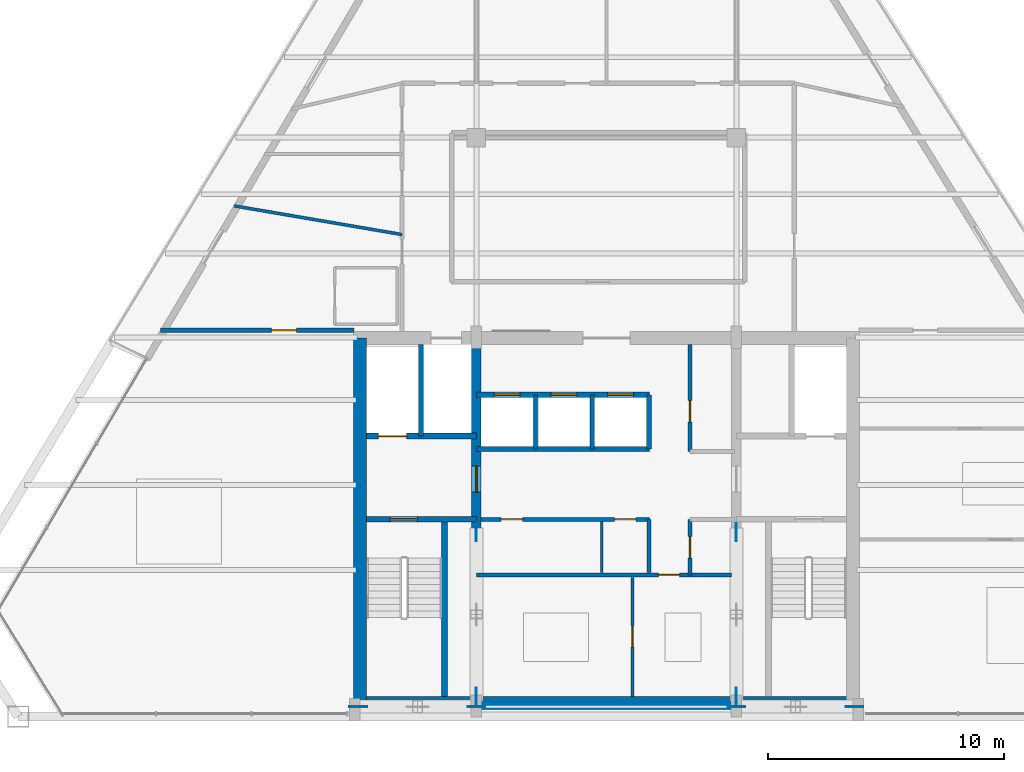
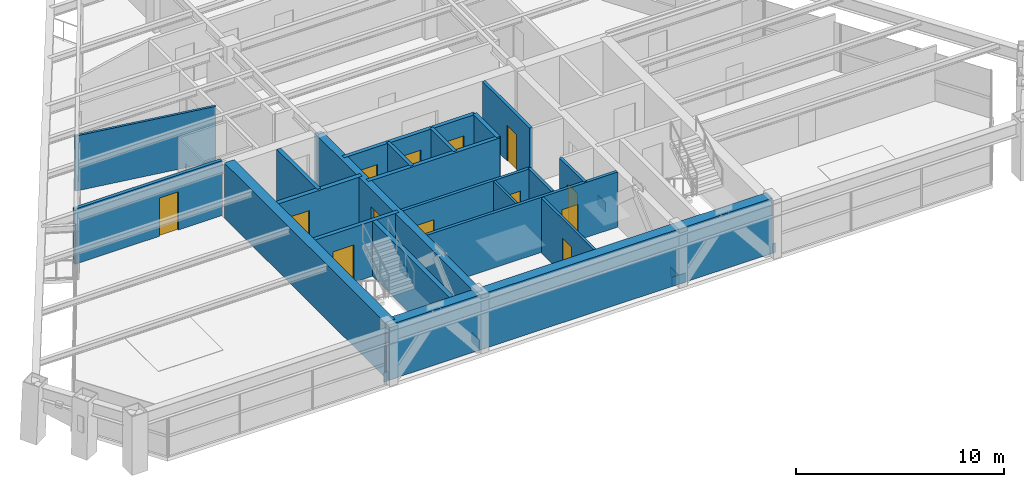
# One storey, part 9 of 13: 21 walls, 13 doors, 8 plates, 13 openings.
"""IFC4 building model written with IfcOpenShell, lengths in metres."""

from ifc_helpers import new_model, si_unit, direction, frame, frame_2d, origin, origin_2d, place, context, subcontext, project, spatial, rectangle, extrude, source, transform, mapped, material, layer, layer_set, type_object, type_shapes, element, fill, save


model = new_model("IFC4")

# Units and contexts
model_context = context("Model", 3, precision=1e-05, world=origin(), true_north=direction((0.0, 1.0)))
body_context = subcontext(model_context, "Body", "Model", "MODEL_VIEW")
ifc_project = project(units=[si_unit("LENGTHUNIT", "METRE"), si_unit("AREAUNIT", "SQUARE_METRE"), si_unit("VOLUMEUNIT", "CUBIC_METRE"), si_unit("PLANEANGLEUNIT", "RADIAN"), si_unit("MASSUNIT", "GRAM", prefix="KILO")], contexts=[model_context])

# Site, building, storey
site_placement = place(None, origin())
site = spatial("IfcSite", under=ifc_project, at=site_placement, CompositionType="ELEMENT")
building_placement = place(site_placement, origin())
building = spatial("IfcBuilding", under=site, at=building_placement, Name="Varnakhor Terracotta Tower", CompositionType="ELEMENT")
storey_placement = place(building_placement, frame((0.0, 0.0, 237.25)))
storey = spatial("IfcBuildingStorey", under=building, at=storey_placement, Name="L61", CompositionType="ELEMENT", Elevation=237.25)

# Plates
ifc_material_1 = material(Name="Steel S460", Category="steel")
ifc_layer_1 = layer(ifc_material_1, 0.050048828125, Name="Steel S460")
ifc_layer_set_1 = layer_set([ifc_layer_1], Name="Steel S460")
plate_type = type_object("IfcPlateType", Name="PLT-GUSSET-50", PredefinedType="USERDEFINED", material=ifc_layer_set_1)
shared_shape_1 = source(origin(), body_context, "Body", "SweptSolid", [
    extrude(rectangle(XDim=0.75, YDim=0.0400390625, at=origin_2d()), origin(), (0.0, 0.0, 1.0), 0.550048828125),
])
type_shapes(plate_type, [shared_shape_1])
for number, where, z_axis, x_axis, name in (
    (1, (-10.5, 0.419921875, -0.09521484375), (0.0, 0.0, 1.0), (1.0, 0.0, 0.0), "L61 Core Brace Embed Plate CSWA"),
    (2, (-5.5, 0.419921875, -0.09521484375), (0.0, 0.0, 1.0), (1.0, 0.0, 0.0), "L61 Core Brace Embed Plate CSWB"),
    (3, (5.5, 0.419921875, -0.09521484375), (0.0, 0.0, 1.0), (1.0, 0.0, 0.0), "L61 Core Brace Embed Plate CSEA"),
    (4, (10.5, 0.419921875, -0.09521484375), (0.0, 0.0, 1.0), (1.0, 0.0, 0.0), "L61 Core Brace Embed Plate CSEB"),
    (5, (-5.5, 0.85009765625, -0.09521484375), (0.0, 0.0, 1.0), (0.0, 1.0, 0.0), "L61 Core Brace Embed Plate CWWA"),
    (6, (-5.5, 7.800048828125, -0.09521484375), (0.0, 0.0, 1.0), (0.0, 1.0, 0.0), "L61 Core Brace Embed Plate CWWB"),
    (7, (5.5, 0.85009765625, -0.09521484375), (0.0, 0.0, 1.0), (0.0, 1.0, 0.0), "L61 Core Brace Embed Plate CWEA"),
    (8, (5.5, 7.800048828125, -0.09521484375), (0.0, 0.0, 1.0), (0.0, 1.0, 0.0), "L61 Core Brace Embed Plate CWEB"),
):
    element("IfcPlate", number, at=place(storey_placement, frame(where, z_axis=z_axis, x_axis=x_axis)), inside=storey, type_object=plate_type, Name=name, ObjectType="GUSSET PLATE", PredefinedType="USERDEFINED", context=body_context, shape_type="MappedRepresentation", body=[
        mapped(shared_shape_1, transform((0.0, 0.0, 0.0), scale=1.0)),
    ])

# Walls
ifc_material_2 = material(Name="Concrete C50/60", Category="concrete")
ifc_layer_2 = layer(ifc_material_2, 0.550048828125, Name="Concrete C50/60")
ifc_layer_set_2 = layer_set([ifc_layer_2], Name="Concrete C50/60")
wall_type_1 = type_object("IfcWallType", Name="WAL-CORE-550", PredefinedType="SHEAR", material=ifc_layer_set_2)
wall_1_placement = place(storey_placement, frame((-10.64990234375, 0.574951171875, 0.0), z_axis=(0.0, 0.0, 1.0), x_axis=(1.0, 0.0, 0.0)))
element("IfcWall", 9, at=wall_1_placement, inside=storey, type_object=wall_type_1, Name="L61 South Core Shear Wall", PredefinedType="SHEAR", context=body_context, shape_type="SweptSolid", body=[
    extrude(rectangle(XDim=21.2998046875, YDim=0.550048828125, at=frame_2d((10.64990234375, 0.0))), origin(), (0.0, 0.0, 1.0), 3.239990234375),
])
wall_2_placement = place(storey_placement, frame((-10.425048828125, 0.574951171875, 0.0), z_axis=(0.0, 0.0, 1.0), x_axis=(0.0, 1.0, 0.0)))
element("IfcWall", 10, at=wall_2_placement, inside=storey, type_object=wall_type_1, Name="L61 West Core Shear Wall", PredefinedType="SHEAR", context=body_context, shape_type="SweptSolid", body=[
    extrude(rectangle(XDim=15.449951171875, YDim=0.550048828125, at=frame_2d((7.72509765625, 0.0))), origin(), (0.0, 0.0, 1.0), 3.239990234375),
])

# Wall, opening, door
ifc_layer_3 = layer(ifc_material_2, 0.39990234375, Name="Concrete C50/60")
ifc_layer_set_3 = layer_set([ifc_layer_3], Name="Concrete C50/60")
wall_type_2 = type_object("IfcWallType", Name="WAL-CORE-WEB-400", PredefinedType="SHEAR", material=ifc_layer_set_3)
wall_3_placement = place(storey_placement, frame((-5.5, 0.574951171875, 0.0), z_axis=(0.0, 0.0, 1.0), x_axis=(0.0, 1.0, 0.0)))
wall_3 = element("IfcWall", 11, at=wall_3_placement, inside=storey, type_object=wall_type_2, Name="L61 West Core Web Shear Wall", PredefinedType="SHEAR", context=body_context, shape_type="SweptSolid", body=[
    extrude(rectangle(XDim=15.449951171875, YDim=0.39990234375, at=frame_2d((7.72509765625, 0.0))), origin(), (0.0, 0.0, 1.0), 3.239990234375),
])
opening_1_placement = place(wall_3_placement, frame((8.925048828125, 0.0, 0.0)))
opening_1 = element("IfcOpeningElement", 12, at=opening_1_placement, cuts=wall_3, Name="Opening DR-25", PredefinedType="OPENING", context=body_context, shape_type="SweptSolid", body=[
    extrude(rectangle(XDim=1.10009765625, YDim=2.199951171875, at=frame_2d((0.550048828125, 1.10009765625))), frame((0.0, 0.2099609375, 0.0), z_axis=(0.0, -1.0, 0.0), x_axis=(1.0, 0.0, 0.0)), (0.0, 0.0, 1.0), 0.419921875),
])
ifc_material_3 = material(Name="Firefighting Lobby Self-Closing Fire Door", Category="steel")
door_type_1 = type_object("IfcDoorType", Name="DR-FFL-1100X2200", OperationType="NOTDEFINED", PredefinedType="DOOR", material=ifc_material_3)
shared_shape_2 = source(origin(), body_context, "Body", "SweptSolid", [
    extrude(rectangle(XDim=1.10009765625, YDim=2.199951171875, at=frame_2d((0.550048828125, 1.10009765625))), frame((0.0, 0.02490234375, 0.0), z_axis=(0.0, -1.0, 0.0), x_axis=(1.0, 0.0, 0.0)), (0.0, 0.0, 1.0), 0.050048828125),
])
type_shapes(door_type_1, [shared_shape_2])
door_1_placement = place(opening_1_placement, origin())
door_1 = element("IfcDoor", 13, at=door_1_placement, inside=storey, type_object=door_type_1, Name="L61 West Firefighting Lobby Door", OperationType="SINGLE_SWING_LEFT", OverallHeight=2.199951171875, OverallWidth=1.10009765625, PredefinedType="DOOR", context=body_context, shape_type="MappedRepresentation", body=[
    mapped(shared_shape_2, transform((0.0, 0.0, 0.0), scale=1.0)),
])
fill(opening_1, door_1)

ifc_material_4 = material(Name="Fire-Rated Gypsum Stud Partition", Category="gypsum")
ifc_layer_4 = layer(ifc_material_4, 0.18505859375, Name="Fire-Rated Gypsum Stud Partition")
ifc_layer_set_4 = layer_set([ifc_layer_4], Name="Fire-Rated Gypsum Stud Partition")
wall_type_3 = type_object("IfcWallType", Name="WAL-CORR-185", PredefinedType="PARTITIONING", material=ifc_layer_set_4)
wall_4_placement = place(storey_placement, frame((-18.86474609375, 16.35009765625, 0.0), z_axis=(0.0, 0.0, 1.0), x_axis=(1.0, 0.0, 0.0)))
wall_4 = element("IfcWall", 14, at=wall_4_placement, inside=storey, type_object=wall_type_3, Name="L61 South West Guest Entry Wall", PredefinedType="PARTITIONING", context=body_context, shape_type="SweptSolid", body=[
    extrude(rectangle(XDim=8.184814453125, YDim=0.18505859375, at=frame_2d((4.09228515625, 0.0))), origin(), (0.0, 0.0, 1.0), 3.23193359375),
])
opening_2_placement = place(wall_4_placement, frame((4.693115234375, 0.0, 0.0)))
opening_2 = element("IfcOpeningElement", 15, at=opening_2_placement, cuts=wall_4, Name="Opening DR-95", PredefinedType="OPENING", context=body_context, shape_type="SweptSolid", body=[
    extrude(rectangle(XDim=1.050048828125, YDim=2.25, at=frame_2d((0.52490234375, 1.125))), frame((0.0, 0.1025390625, 0.0), z_axis=(0.0, -1.0, 0.0), x_axis=(1.0, 0.0, 0.0)), (0.0, 0.0, 1.0), 0.205078125),
])
ifc_material_5 = material(Name="Solid-Core Timber Tenant/Hotel Entrance Door", Category="wood")
door_type_2 = type_object("IfcDoorType", Name="DR-SUITE-1050X2250", OperationType="NOTDEFINED", PredefinedType="DOOR", material=ifc_material_5)
shared_shape_3 = source(origin(), body_context, "Body", "SweptSolid", [
    extrude(rectangle(XDim=1.050048828125, YDim=2.25, at=frame_2d((0.52490234375, 1.125))), frame((0.0, 0.02490234375, 0.0), z_axis=(0.0, -1.0, 0.0), x_axis=(1.0, 0.0, 0.0)), (0.0, 0.0, 1.0), 0.050048828125),
])
type_shapes(door_type_2, [shared_shape_3])
door_2_placement = place(opening_2_placement, origin())
door_2 = element("IfcDoor", 16, at=door_2_placement, inside=storey, type_object=door_type_2, Name="L61 SW Suite Entry Door", OperationType="SINGLE_SWING_LEFT", OverallHeight=2.25, OverallWidth=1.050048828125, PredefinedType="DOOR", context=body_context, shape_type="MappedRepresentation", body=[
    mapped(shared_shape_3, transform((0.0, 0.0, 0.0), scale=1.0)),
])
fill(opening_2, door_2)

ifc_material_6 = material(Name="Concrete C40/50", Category="concrete")
ifc_layer_5 = layer(ifc_material_6, 0.219970703125, Name="Concrete C40/50")
ifc_layer_set_5 = layer_set([ifc_layer_5], Name="Concrete C40/50")
wall_type_4 = type_object("IfcWallType", Name="WAL-FFLOBBY-220", PredefinedType="SOLIDWALL", material=ifc_layer_set_5)
wall_5_placement = place(storey_placement, frame((-5.5, 8.35009765625, 0.0), z_axis=(0.0, 0.0, 1.0), x_axis=(-1.0, 0.0, 0.0)))
wall_5 = element("IfcWall", 17, at=wall_5_placement, inside=storey, type_object=wall_type_4, Name="L61 West Firefighting Lobby Stair Wall", PredefinedType="SOLIDWALL", context=body_context, shape_type="SweptSolid", body=[
    extrude(rectangle(XDim=4.64990234375, YDim=0.219970703125, at=frame_2d((2.324951171875, 0.0))), origin(), (0.0, 0.0, 1.0), 3.239990234375),
])
opening_3_placement = place(wall_5_placement, frame((2.5, 0.0, 0.0)))
opening_3 = element("IfcOpeningElement", 18, at=opening_3_placement, cuts=wall_5, Name="Opening DR-34", PredefinedType="OPENING", context=body_context, shape_type="SweptSolid", body=[
    extrude(rectangle(XDim=1.14990234375, YDim=2.199951171875, at=frame_2d((0.574951171875, 1.10009765625))), frame((0.0, 0.1201171875, 0.0), z_axis=(0.0, -1.0, 0.0), x_axis=(1.0, 0.0, 0.0)), (0.0, 0.0, 1.0), 0.239990234375),
])
ifc_material_7 = material(Name="Self-Closing Smoke-Sealed Steel Fire Door", Category="steel")
door_type_3 = type_object("IfcDoorType", Name="DR-STAIR-1150X2200", OperationType="NOTDEFINED", PredefinedType="DOOR", material=ifc_material_7)
shared_shape_4 = source(origin(), body_context, "Body", "SweptSolid", [
    extrude(rectangle(XDim=1.14990234375, YDim=2.199951171875, at=frame_2d((0.574951171875, 1.10009765625))), frame((0.0, 0.02490234375, 0.0), z_axis=(0.0, -1.0, 0.0), x_axis=(1.0, 0.0, 0.0)), (0.0, 0.0, 1.0), 0.050048828125),
])
type_shapes(door_type_3, [shared_shape_4])
door_3_placement = place(opening_3_placement, origin())
door_3 = element("IfcDoor", 19, at=door_3_placement, inside=storey, type_object=door_type_3, Name="L61 Exit Stair ST-1 Fire Door", OperationType="SINGLE_SWING_RIGHT", OverallHeight=2.199951171875, OverallWidth=1.14990234375, PredefinedType="DOOR", context=body_context, shape_type="MappedRepresentation", body=[
    mapped(shared_shape_4, transform((0.0, 0.0, 0.0), scale=1.0)),
])
fill(opening_3, door_3)

# Walls
ifc_material_8 = material(Name="Acoustic Hotel Room Partition", Category="gypsum")
ifc_layer_6 = layer(ifc_material_8, 0.1298828125, Name="Acoustic Hotel Room Partition")
ifc_layer_set_6 = layer_set([ifc_layer_6], Name="Acoustic Hotel Room Partition")
wall_type_5 = type_object("IfcWallType", Name="WAL-PART-130", PredefinedType="PARTITIONING", material=ifc_layer_set_6)
wall_6_placement = place(storey_placement, frame((-15.75537109375, 21.612548828125, 0.0), z_axis=(0.0, 0.0, 1.0), x_axis=(0.985747524056, -0.1682314442, 0.0)))
element("IfcWall", 20, at=wall_6_placement, inside=storey, type_object=wall_type_5, Name="L61 West Key Cut 1", PredefinedType="PARTITIONING", context=body_context, shape_type="SweptSolid", body=[
    extrude(rectangle(XDim=7.208251953125, YDim=0.1298828125, at=frame_2d((3.60400390625, 0.0))), origin(), (0.0, 0.0, 1.0), 3.23193359375),
])
ifc_layer_7 = layer(ifc_material_6, 0.179931640625, Name="Concrete C40/50")
ifc_layer_set_7 = layer_set([ifc_layer_7], Name="Concrete C40/50")
wall_type_6 = type_object("IfcWallType", Name="WAL-SHAFT-180", PredefinedType="SOLIDWALL", material=ifc_layer_set_7)
for number, where, z_axis, x_axis, name in (
    (21, (-3.0, 11.320068359375, 0.0), (0.0, 0.0, 1.0), (0.0, 1.0, 0.0), "L61 PL-3A Divider"),
    (22, (-0.60009765625, 11.320068359375, 0.0), (0.0, 0.0, 1.0), (0.0, 1.0, 0.0), "L61 PL-3B Divider"),
):
    element("IfcWall", number, at=place(storey_placement, frame(where, z_axis=z_axis, x_axis=x_axis)), inside=storey, type_object=wall_type_6, Name=name, PredefinedType="SOLIDWALL", context=body_context, shape_type="SweptSolid", body=[
        extrude(rectangle(XDim=2.300048828125, YDim=0.179931640625, at=frame_2d((1.14990234375, 0.0))), origin(), (0.0, 0.0, 1.0), 3.239990234375),
    ])
ifc_layer_8 = layer(ifc_material_6, 0.219970703125, Name="Concrete C40/50")
ifc_layer_set_8 = layer_set([ifc_layer_8], Name="Concrete C40/50")
wall_type_7 = type_object("IfcWallType", Name="WAL-SHAFT-220", PredefinedType="SOLIDWALL", material=ifc_layer_set_8)
wall_7_placement = place(storey_placement, frame((-7.840087890625, 11.8701171875, 0.0), z_axis=(0.0, 0.0, 1.0), x_axis=(0.0, 1.0, 0.0)))
element("IfcWall", 23, at=wall_7_placement, inside=storey, type_object=wall_type_7, Name="L61 Lift FFL-1 and SVL-1 Divider Wall", PredefinedType="SOLIDWALL", context=body_context, shape_type="SweptSolid", body=[
    extrude(rectangle(XDim=3.8798828125, YDim=0.219970703125, at=frame_2d((1.93994140625, 0.0))), origin(), (0.0, 0.0, 1.0), 3.239990234375),
])
wall_8_placement = place(storey_placement, frame((-5.5, 11.320068359375, 0.0), z_axis=(0.0, 0.0, 1.0), x_axis=(1.0, 0.0, 0.0)))
element("IfcWall", 24, at=wall_8_placement, inside=storey, type_object=wall_type_7, Name="L61 Bank 3 South Shaft Wall", PredefinedType="SOLIDWALL", context=body_context, shape_type="SweptSolid", body=[
    extrude(rectangle(XDim=7.320068359375, YDim=0.219970703125, at=frame_2d((3.66015625, 0.0))), origin(), (0.0, 0.0, 1.0), 3.239990234375),
])

# Wall, openings, doors
wall_9_placement = place(storey_placement, frame((-5.5, 13.6201171875, 0.0), z_axis=(0.0, 0.0, 1.0), x_axis=(1.0, 0.0, 0.0)))
wall_9 = element("IfcWall", 25, at=wall_9_placement, inside=storey, type_object=wall_type_7, Name="L61 Bank 3 North Shaft Wall", PredefinedType="SOLIDWALL", context=body_context, shape_type="SweptSolid", body=[
    extrude(rectangle(XDim=7.320068359375, YDim=0.219970703125, at=frame_2d((3.66015625, 0.0))), origin(), (0.0, 0.0, 1.0), 3.239990234375),
])
opening_4_placement = place(wall_9_placement, frame((0.75, 0.0, 0.0)))
opening_4 = element("IfcOpeningElement", 26, at=opening_4_placement, cuts=wall_9, Name="Opening LD-01", PredefinedType="OPENING", context=body_context, shape_type="SweptSolid", body=[
    extrude(rectangle(XDim=1.10009765625, YDim=2.199951171875, at=frame_2d((0.550048828125, 1.10009765625))), frame((0.0, 0.1201171875, 0.0), z_axis=(0.0, -1.0, 0.0), x_axis=(1.0, 0.0, 0.0)), (0.0, 0.0, 1.0), 0.239990234375),
])
opening_5_placement = place(wall_9_placement, frame((3.14990234375, 0.0, 0.0)))
opening_5 = element("IfcOpeningElement", 27, at=opening_5_placement, cuts=wall_9, Name="Opening LD-01", PredefinedType="OPENING", context=body_context, shape_type="SweptSolid", body=[
    extrude(rectangle(XDim=1.10009765625, YDim=2.199951171875, at=frame_2d((0.550048828125, 1.10009765625))), frame((0.0, 0.1201171875, 0.0), z_axis=(0.0, -1.0, 0.0), x_axis=(1.0, 0.0, 0.0)), (0.0, 0.0, 1.0), 0.239990234375),
])
opening_6_placement = place(wall_9_placement, frame((5.550048828125, 0.0, 0.0)))
opening_6 = element("IfcOpeningElement", 28, at=opening_6_placement, cuts=wall_9, Name="Opening LD-01", PredefinedType="OPENING", context=body_context, shape_type="SweptSolid", body=[
    extrude(rectangle(XDim=1.10009765625, YDim=2.199951171875, at=frame_2d((0.550048828125, 1.10009765625))), frame((0.0, 0.1201171875, 0.0), z_axis=(0.0, -1.0, 0.0), x_axis=(1.0, 0.0, 0.0)), (0.0, 0.0, 1.0), 0.239990234375),
])
ifc_material_9 = material(Name="Brushed Stainless Steel Sliding Lift Landing Door", Category="steel")
door_type_4 = type_object("IfcDoorType", Name="LD-PASS-1100X2200", OperationType="NOTDEFINED", PredefinedType="DOOR", material=ifc_material_9)
shared_shape_5 = source(origin(), body_context, "Body", "SweptSolid", [
    extrude(rectangle(XDim=1.10009765625, YDim=2.199951171875, at=frame_2d((0.550048828125, 1.10009765625))), frame((0.0, 0.02490234375, 0.0), z_axis=(0.0, -1.0, 0.0), x_axis=(1.0, 0.0, 0.0)), (0.0, 0.0, 1.0), 0.050048828125),
])
type_shapes(door_type_4, [shared_shape_5])
door_4_placement = place(opening_4_placement, origin())
door_4 = element("IfcDoor", 29, at=door_4_placement, inside=storey, type_object=door_type_4, Name="L61 Passenger Lift PL-3A Landing Door", OperationType="SLIDING_TO_RIGHT", OverallHeight=2.199951171875, OverallWidth=1.10009765625, PredefinedType="DOOR", context=body_context, shape_type="MappedRepresentation", body=[
    mapped(shared_shape_5, transform((0.0, 0.0, 0.0), scale=1.0)),
])
fill(opening_4, door_4)
door_5_placement = place(opening_5_placement, origin())
door_5 = element("IfcDoor", 30, at=door_5_placement, inside=storey, type_object=door_type_4, Name="L61 Passenger Lift PL-3B Landing Door", OperationType="SLIDING_TO_RIGHT", OverallHeight=2.199951171875, OverallWidth=1.10009765625, PredefinedType="DOOR", context=body_context, shape_type="MappedRepresentation", body=[
    mapped(shared_shape_5, transform((0.0, 0.0, 0.0), scale=1.0)),
])
fill(opening_5, door_5)
door_6_placement = place(opening_6_placement, origin())
door_6 = element("IfcDoor", 31, at=door_6_placement, inside=storey, type_object=door_type_4, Name="L61 Passenger Lift PL-3C Landing Door", OperationType="SLIDING_TO_RIGHT", OverallHeight=2.199951171875, OverallWidth=1.10009765625, PredefinedType="DOOR", context=body_context, shape_type="MappedRepresentation", body=[
    mapped(shared_shape_5, transform((0.0, 0.0, 0.0), scale=1.0)),
])
fill(opening_6, door_6)

# Walls
wall_10_placement = place(storey_placement, frame((1.800048828125, 11.320068359375, 0.0), z_axis=(0.0, 0.0, 1.0), x_axis=(0.0, 1.0, 0.0)))
element("IfcWall", 32, at=wall_10_placement, inside=storey, type_object=wall_type_7, Name="L61 Bank 3 East Shaft Wall", PredefinedType="SOLIDWALL", context=body_context, shape_type="SweptSolid", body=[
    extrude(rectangle(XDim=2.300048828125, YDim=0.219970703125, at=frame_2d((1.14990234375, 0.0))), origin(), (0.0, 0.0, 1.0), 3.239990234375),
])
ifc_layer_9 = layer(ifc_material_6, 0.25, Name="Concrete C40/50")
ifc_layer_set_9 = layer_set([ifc_layer_9], Name="Concrete C40/50")
wall_type_8 = type_object("IfcWallType", Name="WAL-SHAFT-250", PredefinedType="SOLIDWALL", material=ifc_layer_set_9)
wall_11_placement = place(storey_placement, frame((-6.85009765625, 0.85009765625, 0.0), z_axis=(0.0, 0.0, 1.0), x_axis=(0.0, 1.0, 0.0)))
element("IfcWall", 33, at=wall_11_placement, inside=storey, type_object=wall_type_8, Name="L61 Stair ST-1 Bearing Shaft Wall", PredefinedType="SOLIDWALL", context=body_context, shape_type="SweptSolid", body=[
    extrude(rectangle(XDim=7.5, YDim=0.25, at=frame_2d((3.75, 0.0))), origin(), (0.0, 0.0, 1.0), 3.239990234375),
])

# Wall, opening, door
wall_12_placement = place(storey_placement, frame((-5.5, 11.8701171875, 0.0), z_axis=(0.0, 0.0, 1.0), x_axis=(-1.0, 0.0, 0.0)))
wall_12 = element("IfcWall", 34, at=wall_12_placement, inside=storey, type_object=wall_type_8, Name="L61 Lift FFL-1 Shaft Front Wall", PredefinedType="SOLIDWALL", context=body_context, shape_type="SweptSolid", body=[
    extrude(rectangle(XDim=4.64990234375, YDim=0.25, at=frame_2d((2.324951171875, 0.0))), origin(), (0.0, 0.0, 1.0), 3.239990234375),
])
opening_7_placement = place(wall_12_placement, frame((2.949951171875, 0.0, 0.0)))
opening_7 = element("IfcOpeningElement", 35, at=opening_7_placement, cuts=wall_12, Name="Opening LD-02", PredefinedType="OPENING", context=body_context, shape_type="SweptSolid", body=[
    extrude(rectangle(XDim=1.199951171875, YDim=2.25, at=frame_2d((0.60009765625, 1.125))), frame((0.0, 0.135009765625, 0.0), z_axis=(0.0, -1.0, 0.0), x_axis=(1.0, 0.0, 0.0)), (0.0, 0.0, 1.0), 0.27001953125),
])
ifc_material_10 = material(Name="Firefighting Stretcher Sliding Lift Landing Door", Category="steel")
door_type_5 = type_object("IfcDoorType", Name="LD-FFL-1200X2250", OperationType="NOTDEFINED", PredefinedType="DOOR", material=ifc_material_10)
shared_shape_6 = source(origin(), body_context, "Body", "SweptSolid", [
    extrude(rectangle(XDim=1.199951171875, YDim=2.25, at=frame_2d((0.60009765625, 1.125))), frame((0.0, 0.02490234375, 0.0), z_axis=(0.0, -1.0, 0.0), x_axis=(1.0, 0.0, 0.0)), (0.0, 0.0, 1.0), 0.050048828125),
])
type_shapes(door_type_5, [shared_shape_6])
door_7_placement = place(opening_7_placement, origin())
door_7 = element("IfcDoor", 36, at=door_7_placement, inside=storey, type_object=door_type_5, Name="L61 Firefighting Lift FFL-1 Landing Door", OperationType="SLIDING_TO_LEFT", OverallHeight=2.25, OverallWidth=1.199951171875, PredefinedType="DOOR", context=body_context, shape_type="MappedRepresentation", body=[
    mapped(shared_shape_6, transform((0.0, 0.0, 0.0), scale=1.0)),
])
fill(opening_7, door_7)

# Wall
ifc_material_11 = material(Name="Acoustic Fire-Rated Partition", Category="gypsum")
ifc_layer_10 = layer(ifc_material_11, 0.114990234375, Name="Acoustic Fire-Rated Partition")
ifc_layer_set_10 = layer_set([ifc_layer_10], Name="Acoustic Fire-Rated Partition")
wall_type_9 = type_object("IfcWallType", Name="WAL-TENANCY-115", PredefinedType="PARTITIONING", material=ifc_layer_set_10)
wall_13_placement = place(storey_placement, frame((-0.199951171875, 6.10009765625, 0.0), z_axis=(0.0, 0.0, 1.0), x_axis=(0.0, 1.0, 0.0)))
element("IfcWall", 37, at=wall_13_placement, inside=storey, type_object=wall_type_9, Name="L61 Reclaimed Mid-Core Split Wall", PredefinedType="PARTITIONING", context=body_context, shape_type="SweptSolid", body=[
    extrude(rectangle(XDim=2.14990234375, YDim=0.114990234375, at=frame_2d((1.074951171875, 0.0))), origin(), (0.0, 0.0, 1.0), 3.23193359375),
])

# Wall, opening, door
ifc_layer_11 = layer(ifc_material_11, 0.139892578125, Name="Acoustic Fire-Rated Partition")
ifc_layer_set_11 = layer_set([ifc_layer_11], Name="Acoustic Fire-Rated Partition")
wall_type_10 = type_object("IfcWallType", Name="WAL-TENANCY-140", PredefinedType="PARTITIONING", material=ifc_layer_set_11)
wall_14_placement = place(storey_placement, frame((1.10009765625, 0.85009765625, 0.0), z_axis=(0.0, 0.0, 1.0), x_axis=(0.0, 1.0, 0.0)))
wall_14 = element("IfcWall", 38, at=wall_14_placement, inside=storey, type_object=wall_type_10, Name="L61 Reclaimed Core Bay Split Wall", PredefinedType="PARTITIONING", context=body_context, shape_type="SweptSolid", body=[
    extrude(rectangle(XDim=5.02978515625, YDim=0.139892578125, at=frame_2d((2.514892578125, 0.0))), origin(), (0.0, 0.0, 1.0), 3.23193359375),
])
opening_8_placement = place(wall_14_placement, frame((2.10009765625, 0.0, 0.0)))
opening_8 = element("IfcOpeningElement", 39, at=opening_8_placement, cuts=wall_14, Name="Opening DR-67", PredefinedType="OPENING", context=body_context, shape_type="SweptSolid", body=[
    extrude(rectangle(XDim=0.89990234375, YDim=2.10009765625, at=frame_2d((0.449951171875, 1.050048828125))), frame((0.0, 0.080078125, 0.0), z_axis=(0.0, -1.0, 0.0), x_axis=(1.0, 0.0, 0.0)), (0.0, 0.0, 1.0), 0.159912109375),
])
ifc_material_12 = material(Name="Steel Service Riser Fire Door", Category="steel")
door_type_6 = type_object("IfcDoorType", Name="DR-RISER-900X2100", OperationType="NOTDEFINED", PredefinedType="DOOR", material=ifc_material_12)
shared_shape_7 = source(origin(), body_context, "Body", "SweptSolid", [
    extrude(rectangle(XDim=0.89990234375, YDim=2.10009765625, at=frame_2d((0.449951171875, 1.050048828125))), frame((0.0, 0.02490234375, 0.0), z_axis=(0.0, -1.0, 0.0), x_axis=(1.0, 0.0, 0.0)), (0.0, 0.0, 1.0), 0.050048828125),
])
type_shapes(door_type_6, [shared_shape_7])
door_8_placement = place(opening_8_placement, origin())
door_8 = element("IfcDoor", 40, at=door_8_placement, inside=storey, type_object=door_type_6, Name="L61 Core Inner Service Door", OperationType="SINGLE_SWING_LEFT", OverallHeight=2.10009765625, OverallWidth=0.89990234375, PredefinedType="DOOR", context=body_context, shape_type="MappedRepresentation", body=[
    mapped(shared_shape_7, transform((0.0, 0.0, 0.0), scale=1.0)),
])
fill(opening_8, door_8)

ifc_layer_12 = layer(ifc_material_11, 0.1650390625, Name="Acoustic Fire-Rated Partition")
ifc_layer_set_12 = layer_set([ifc_layer_12], Name="Acoustic Fire-Rated Partition")
wall_type_11 = type_object("IfcWallType", Name="WAL-TENANCY-165", PredefinedType="PARTITIONING", material=ifc_layer_set_12)
wall_15_placement = place(storey_placement, frame((-5.5, 6.0, 0.0), z_axis=(0.0, 0.0, 1.0), x_axis=(1.0, 0.0, 0.0)))
wall_15 = element("IfcWall", 41, at=wall_15_placement, inside=storey, type_object=wall_type_11, Name="L61 Reclaimed Core Bay North Rated Wall", PredefinedType="PARTITIONING", context=body_context, shape_type="SweptSolid", body=[
    extrude(rectangle(XDim=10.800048828125, YDim=0.1650390625, at=frame_2d((5.39990234375, 0.0))), origin(), (0.0, 0.0, 1.0), 3.23193359375),
])
opening_9_placement = place(wall_15_placement, frame((7.699951171875, 0.0, 0.0)))
opening_9 = element("IfcOpeningElement", 42, at=opening_9_placement, cuts=wall_15, Name="Opening DR-67", PredefinedType="OPENING", context=body_context, shape_type="SweptSolid", body=[
    extrude(rectangle(XDim=0.89990234375, YDim=2.10009765625, at=frame_2d((0.449951171875, 1.050048828125))), frame((0.0, 0.092529296875, 0.0), z_axis=(0.0, -1.0, 0.0), x_axis=(1.0, 0.0, 0.0)), (0.0, 0.0, 1.0), 0.18505859375),
])
door_9_placement = place(opening_9_placement, origin())
door_9 = element("IfcDoor", 43, at=door_9_placement, inside=storey, type_object=door_type_6, Name="L61 Core Reclaimed Suite Door", OperationType="SINGLE_SWING_RIGHT", OverallHeight=2.10009765625, OverallWidth=0.89990234375, PredefinedType="DOOR", context=body_context, shape_type="MappedRepresentation", body=[
    mapped(shared_shape_7, transform((0.0, 0.0, 0.0), scale=1.0)),
])
fill(opening_9, door_9)

wall_16_placement = place(storey_placement, frame((3.5400390625, 6.0, 0.0), z_axis=(0.0, 0.0, 1.0), x_axis=(0.0, 1.0, 0.0)))
wall_16 = element("IfcWall", 44, at=wall_16_placement, inside=storey, type_object=wall_type_11, Name="L61 Accessible WC Rated Wall", PredefinedType="PARTITIONING", context=body_context, shape_type="SweptSolid", body=[
    extrude(rectangle(XDim=2.340087890625, YDim=0.1650390625, at=frame_2d((1.169921875, 0.0))), origin(), (0.0, 0.0, 1.0), 3.23193359375),
])
opening_10_placement = place(wall_16_placement, frame((0.719970703125, 0.0, 0.0)))
opening_10 = element("IfcOpeningElement", 45, at=opening_10_placement, cuts=wall_16, Name="Opening DR-67", PredefinedType="OPENING", context=body_context, shape_type="SweptSolid", body=[
    extrude(rectangle(XDim=0.89990234375, YDim=2.10009765625, at=frame_2d((0.449951171875, 1.050048828125))), frame((0.0, 0.092529296875, 0.0), z_axis=(0.0, -1.0, 0.0), x_axis=(1.0, 0.0, 0.0)), (0.0, 0.0, 1.0), 0.18505859375),
])
door_10_placement = place(opening_10_placement, origin())
door_10 = element("IfcDoor", 46, at=door_10_placement, inside=storey, type_object=door_type_6, Name="L61 Accessible WC Door", OperationType="SINGLE_SWING_RIGHT", OverallHeight=2.10009765625, OverallWidth=0.89990234375, PredefinedType="DOOR", context=body_context, shape_type="MappedRepresentation", body=[
    mapped(shared_shape_7, transform((0.0, 0.0, 0.0), scale=1.0)),
])
fill(opening_10, door_10)

# Wall, openings, doors
wall_17_placement = place(storey_placement, frame((-5.300048828125, 8.35009765625, 0.0), z_axis=(0.0, 0.0, 1.0), x_axis=(1.0, 0.0, 0.0)))
wall_17 = element("IfcWall", 47, at=wall_17_placement, inside=storey, type_object=wall_type_11, Name="L61 Reclaimed Mid-Core North Wall", PredefinedType="PARTITIONING", context=body_context, shape_type="SweptSolid", body=[
    extrude(rectangle(XDim=7.1201171875, YDim=0.1650390625, at=frame_2d((3.56005859375, 0.0))), origin(), (0.0, 0.0, 1.0), 3.23193359375),
])
opening_11_placement = place(wall_17_placement, frame((0.85009765625, 0.0, 0.0)))
opening_11 = element("IfcOpeningElement", 48, at=opening_11_placement, cuts=wall_17, Name="Opening DR-67", PredefinedType="OPENING", context=body_context, shape_type="SweptSolid", body=[
    extrude(rectangle(XDim=0.89990234375, YDim=2.10009765625, at=frame_2d((0.449951171875, 1.050048828125))), frame((0.0, 0.092529296875, 0.0), z_axis=(0.0, -1.0, 0.0), x_axis=(1.0, 0.0, 0.0)), (0.0, 0.0, 1.0), 0.18505859375),
])
opening_12_placement = place(wall_17_placement, frame((5.64990234375, 0.0, 0.0)))
opening_12 = element("IfcOpeningElement", 49, at=opening_12_placement, cuts=wall_17, Name="Opening DR-67", PredefinedType="OPENING", context=body_context, shape_type="SweptSolid", body=[
    extrude(rectangle(XDim=0.89990234375, YDim=2.10009765625, at=frame_2d((0.449951171875, 1.050048828125))), frame((0.0, 0.092529296875, 0.0), z_axis=(0.0, -1.0, 0.0), x_axis=(1.0, 0.0, 0.0)), (0.0, 0.0, 1.0), 0.18505859375),
])
door_11_placement = place(opening_11_placement, origin())
door_11 = element("IfcDoor", 50, at=door_11_placement, inside=storey, type_object=door_type_6, Name="L61 Core West Restroom Door", OperationType="SINGLE_SWING_LEFT", OverallHeight=2.10009765625, OverallWidth=0.89990234375, PredefinedType="DOOR", context=body_context, shape_type="MappedRepresentation", body=[
    mapped(shared_shape_7, transform((0.0, 0.0, 0.0), scale=1.0)),
])
fill(opening_11, door_11)
door_12_placement = place(opening_12_placement, origin())
door_12 = element("IfcDoor", 51, at=door_12_placement, inside=storey, type_object=door_type_6, Name="L61 Core East Restroom Door", OperationType="SINGLE_SWING_RIGHT", OverallHeight=2.10009765625, OverallWidth=0.89990234375, PredefinedType="DOOR", context=body_context, shape_type="MappedRepresentation", body=[
    mapped(shared_shape_7, transform((0.0, 0.0, 0.0), scale=1.0)),
])
fill(opening_12, door_12)

# Wall
wall_18_placement = place(storey_placement, frame((1.800048828125, 6.10009765625, 0.0), z_axis=(0.0, 0.0, 1.0), x_axis=(0.0, 1.0, 0.0)))
element("IfcWall", 52, at=wall_18_placement, inside=storey, type_object=wall_type_11, Name="L61 Reclaimed Mid-Core East Wall", PredefinedType="PARTITIONING", context=body_context, shape_type="SweptSolid", body=[
    extrude(rectangle(XDim=2.25, YDim=0.1650390625, at=frame_2d((1.125, 0.0))), origin(), (0.0, 0.0, 1.0), 3.23193359375),
])

# Wall, opening, door
wall_19_placement = place(storey_placement, frame((3.5400390625, 11.219970703125, 0.0), z_axis=(0.0, 0.0, 1.0), x_axis=(0.0, 1.0, 0.0)))
wall_19 = element("IfcWall", 53, at=wall_19_placement, inside=storey, type_object=wall_type_11, Name="L61 Restroom Corridor Wall", PredefinedType="PARTITIONING", context=body_context, shape_type="SweptSolid", body=[
    extrude(rectangle(XDim=4.530029296875, YDim=0.1650390625, at=frame_2d((2.26513671875, 0.0))), origin(), (0.0, 0.0, 1.0), 3.23193359375),
])
opening_13_placement = place(wall_19_placement, frame((1.25, 0.0, 0.0)))
opening_13 = element("IfcOpeningElement", 54, at=opening_13_placement, cuts=wall_19, Name="Opening DR-67", PredefinedType="OPENING", context=body_context, shape_type="SweptSolid", body=[
    extrude(rectangle(XDim=0.89990234375, YDim=2.10009765625, at=frame_2d((0.449951171875, 1.050048828125))), frame((0.0, 0.092529296875, 0.0), z_axis=(0.0, -1.0, 0.0), x_axis=(1.0, 0.0, 0.0)), (0.0, 0.0, 1.0), 0.18505859375),
])
door_13_placement = place(opening_13_placement, origin())
door_13 = element("IfcDoor", 55, at=door_13_placement, inside=storey, type_object=door_type_6, Name="L61 Female WC Door", OperationType="SINGLE_SWING_LEFT", OverallHeight=2.10009765625, OverallWidth=0.89990234375, PredefinedType="DOOR", context=body_context, shape_type="MappedRepresentation", body=[
    mapped(shared_shape_7, transform((0.0, 0.0, 0.0), scale=1.0)),
])
fill(opening_13, door_13)

save(model, "model.ifc")
